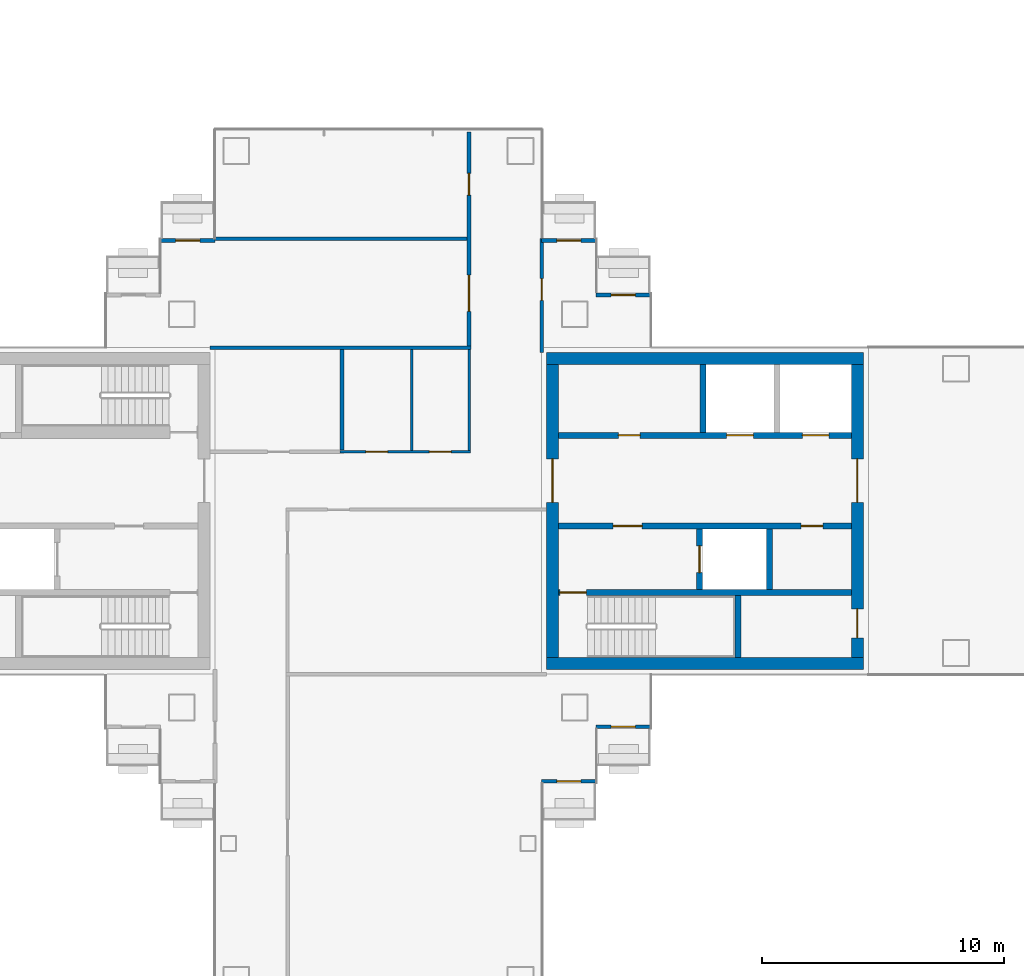
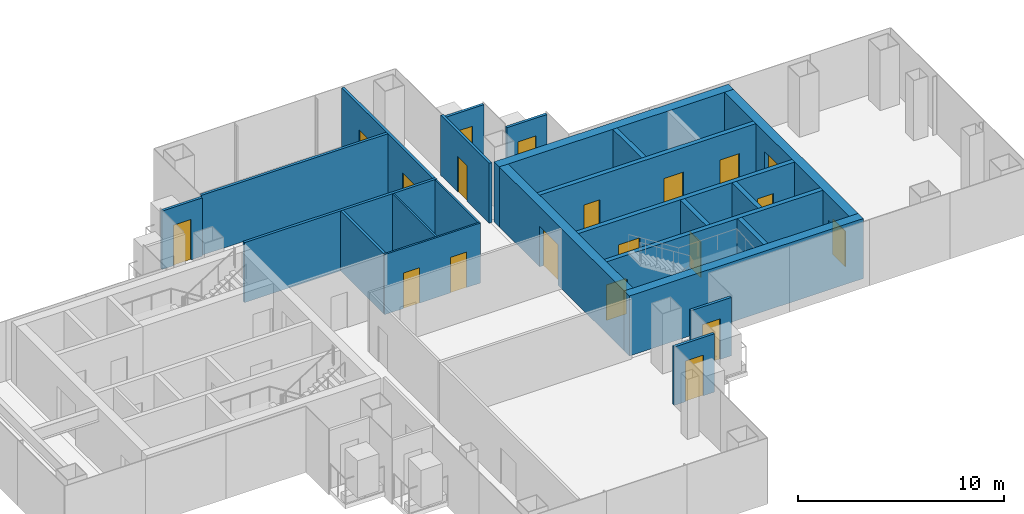
# One storey, part 10 of 16: 24 walls, 20 doors, 20 openings.
"""IFC4 building model written with IfcOpenShell, lengths in metres."""

from ifc_helpers import new_model, si_unit, direction, frame, frame_2d, origin, place, context, subcontext, project, spatial, rectangle, extrude, material, layer, layer_set, type_object, element, fill, save


model = new_model("IFC4")

# Units and contexts
model_context = context("Model", 3, precision=1e-05, world=origin(), true_north=direction((0.0, 1.0)))
body_context = subcontext(model_context, "Body", "Model", "MODEL_VIEW")
ifc_project = project(units=[si_unit("LENGTHUNIT", "METRE"), si_unit("AREAUNIT", "SQUARE_METRE"), si_unit("VOLUMEUNIT", "CUBIC_METRE"), si_unit("PLANEANGLEUNIT", "RADIAN"), si_unit("MASSUNIT", "GRAM", prefix="KILO")], contexts=[model_context])

# Site, building, storey
site_placement = place(None, origin())
site = spatial("IfcSite", under=ifc_project, at=site_placement, CompositionType="ELEMENT")
building_placement = place(site_placement, origin())
building = spatial("IfcBuilding", under=site, at=building_placement, Name="Shamsa Quay Exchange Towers", CompositionType="ELEMENT")
storey_placement = place(building_placement, frame((0.0, 0.0, 150.60009765625)))
storey = spatial("IfcBuildingStorey", under=building, at=storey_placement, Name="L35", CompositionType="ELEMENT", Elevation=150.60009765625)

# Wall, opening, door
ifc_material_1 = material(Name="Aluminium EN AW-6063 T6, black anodised, with black enamelled glass infill", Category="aluminium")
ifc_layer_1 = layer(ifc_material_1, 0.14990234375)
ifc_layer_set_1 = layer_set([ifc_layer_1], Name="BALCONY DOOR BAY WALL 150")
wall_type_1 = type_object("IfcWallType", Name="BALCONY DOOR BAY WALL 150", PredefinedType="SOLIDWALL", material=ifc_layer_set_1)
wall_1_placement = place(storey_placement, frame((-24.75, 8.925048828125, 0.0)))
wall_1 = element("IfcWall", 1, at=wall_1_placement, inside=storey, type_object=wall_type_1, Name="Door bay T1-PKEN L35", PredefinedType="SOLIDWALL", context=body_context, shape_type="SweptSolid", body=[
    extrude(rectangle(XDim=2.25, YDim=0.14990234375, at=frame_2d((1.125, 0.0))), origin(), (0.0, 0.0, 1.0), 3.449951171875),
])
opening_1_placement = place(wall_1_placement, frame((0.625, 0.0, 0.0)))
opening_1 = element("IfcOpeningElement", 2, at=opening_1_placement, cuts=wall_1, Name="Opening XD217", PredefinedType="OPENING", context=body_context, shape_type="SweptSolid", body=[
    extrude(rectangle(XDim=1.0, YDim=2.39990234375, at=frame_2d((0.5, 1.199951171875))), frame((0.0, 0.0849609375, 0.0), z_axis=(0.0, -1.0, 0.0), x_axis=(1.0, 0.0, 0.0)), (0.0, 0.0, 1.0), 0.169921875),
])
ifc_material_2 = material(Name="Aluminium EN AW-6063 T6, black anodised, with laminated glass leaf", Category="aluminium")
door_type_1 = type_object("IfcDoorType", Name="BALCONY DOOR 1000x2400", OperationType="SINGLE_SWING_LEFT", PredefinedType="DOOR", material=ifc_material_2)
door_1_placement = place(opening_1_placement, origin())
door_1 = element("IfcDoor", 3, at=door_1_placement, inside=storey, type_object=door_type_1, Name="Balcony door T1-PKEN L35", OperationType="SINGLE_SWING_RIGHT", OverallHeight=2.39990234375, OverallWidth=1.0, PredefinedType="DOOR", context=body_context, shape_type="SweptSolid", body=[
    extrude(rectangle(XDim=1.0, YDim=2.39990234375, at=frame_2d((0.5, 1.199951171875))), frame((0.0, 0.02490234375, 0.0), z_axis=(0.0, -1.0, 0.0), x_axis=(1.0, 0.0, 0.0)), (0.0, 0.0, 1.0), 0.050048828125),
])
fill(opening_1, door_1)

wall_2_placement = place(storey_placement, frame((-27.0, 11.175048828125, 0.0)))
wall_2 = element("IfcWall", 4, at=wall_2_placement, inside=storey, type_object=wall_type_1, Name="Door bay T1-PKEN L35", PredefinedType="SOLIDWALL", context=body_context, shape_type="SweptSolid", body=[
    extrude(rectangle(XDim=2.25, YDim=0.14990234375, at=frame_2d((1.125, 0.0))), origin(), (0.0, 0.0, 1.0), 3.449951171875),
])
opening_2_placement = place(wall_2_placement, frame((0.625, 0.0, 0.0)))
opening_2 = element("IfcOpeningElement", 5, at=opening_2_placement, cuts=wall_2, Name="Opening XD218", PredefinedType="OPENING", context=body_context, shape_type="SweptSolid", body=[
    extrude(rectangle(XDim=1.0, YDim=2.39990234375, at=frame_2d((0.5, 1.199951171875))), frame((0.0, 0.0849609375, 0.0), z_axis=(0.0, -1.0, 0.0), x_axis=(1.0, 0.0, 0.0)), (0.0, 0.0, 1.0), 0.169921875),
])
door_2_placement = place(opening_2_placement, origin())
door_2 = element("IfcDoor", 6, at=door_2_placement, inside=storey, type_object=door_type_1, Name="Balcony door T1-PKEN L35", OperationType="SINGLE_SWING_LEFT", OverallHeight=2.39990234375, OverallWidth=1.0, PredefinedType="DOOR", context=body_context, shape_type="SweptSolid", body=[
    extrude(rectangle(XDim=1.0, YDim=2.39990234375, at=frame_2d((0.5, 1.199951171875))), frame((0.0, 0.02490234375, 0.0), z_axis=(0.0, -1.0, 0.0), x_axis=(1.0, 0.0, 0.0)), (0.0, 0.0, 1.0), 0.050048828125),
])
fill(opening_2, door_2)

wall_3_placement = place(storey_placement, frame((-22.5, -8.925048828125, 0.0), z_axis=(0.0, 0.0, 1.0), x_axis=(-1.0, 0.0, 0.0)))
wall_3 = element("IfcWall", 7, at=wall_3_placement, inside=storey, type_object=wall_type_1, Name="Door bay T1-PKES L35", PredefinedType="SOLIDWALL", context=body_context, shape_type="SweptSolid", body=[
    extrude(rectangle(XDim=2.25, YDim=0.14990234375, at=frame_2d((1.125, 0.0))), origin(), (0.0, 0.0, 1.0), 3.449951171875),
])
opening_3_placement = place(wall_3_placement, frame((0.625, 0.0, 0.0)))
opening_3 = element("IfcOpeningElement", 8, at=opening_3_placement, cuts=wall_3, Name="Opening XD219", PredefinedType="OPENING", context=body_context, shape_type="SweptSolid", body=[
    extrude(rectangle(XDim=1.0, YDim=2.39990234375, at=frame_2d((0.5, 1.199951171875))), frame((0.0, 0.0849609375, 0.0), z_axis=(0.0, -1.0, 0.0), x_axis=(1.0, 0.0, 0.0)), (0.0, 0.0, 1.0), 0.169921875),
])
door_3_placement = place(opening_3_placement, origin())
door_3 = element("IfcDoor", 9, at=door_3_placement, inside=storey, type_object=door_type_1, Name="Balcony door T1-PKES L35", OperationType="SINGLE_SWING_RIGHT", OverallHeight=2.39990234375, OverallWidth=1.0, PredefinedType="DOOR", context=body_context, shape_type="SweptSolid", body=[
    extrude(rectangle(XDim=1.0, YDim=2.39990234375, at=frame_2d((0.5, 1.199951171875))), frame((0.0, 0.02490234375, 0.0), z_axis=(0.0, -1.0, 0.0), x_axis=(1.0, 0.0, 0.0)), (0.0, 0.0, 1.0), 0.050048828125),
])
fill(opening_3, door_3)

wall_4_placement = place(storey_placement, frame((-24.75, -11.175048828125, 0.0), z_axis=(0.0, 0.0, 1.0), x_axis=(-1.0, 0.0, 0.0)))
wall_4 = element("IfcWall", 10, at=wall_4_placement, inside=storey, type_object=wall_type_1, Name="Door bay T1-PKES L35", PredefinedType="SOLIDWALL", context=body_context, shape_type="SweptSolid", body=[
    extrude(rectangle(XDim=2.25, YDim=0.14990234375, at=frame_2d((1.125, 0.0))), origin(), (0.0, 0.0, 1.0), 3.449951171875),
])
opening_4_placement = place(wall_4_placement, frame((0.625, 0.0, 0.0)))
opening_4 = element("IfcOpeningElement", 11, at=opening_4_placement, cuts=wall_4, Name="Opening XD220", PredefinedType="OPENING", context=body_context, shape_type="SweptSolid", body=[
    extrude(rectangle(XDim=1.0, YDim=2.39990234375, at=frame_2d((0.5, 1.199951171875))), frame((0.0, 0.0849609375, 0.0), z_axis=(0.0, -1.0, 0.0), x_axis=(1.0, 0.0, 0.0)), (0.0, 0.0, 1.0), 0.169921875),
])
door_4_placement = place(opening_4_placement, origin())
door_4 = element("IfcDoor", 12, at=door_4_placement, inside=storey, type_object=door_type_1, Name="Balcony door T1-PKES L35", OperationType="SINGLE_SWING_LEFT", OverallHeight=2.39990234375, OverallWidth=1.0, PredefinedType="DOOR", context=body_context, shape_type="SweptSolid", body=[
    extrude(rectangle(XDim=1.0, YDim=2.39990234375, at=frame_2d((0.5, 1.199951171875))), frame((0.0, 0.02490234375, 0.0), z_axis=(0.0, -1.0, 0.0), x_axis=(1.0, 0.0, 0.0)), (0.0, 0.0, 1.0), 0.050048828125),
])
fill(opening_4, door_4)

wall_5_placement = place(storey_placement, frame((-42.75, 11.175048828125, 0.0)))
wall_5 = element("IfcWall", 13, at=wall_5_placement, inside=storey, type_object=wall_type_1, Name="Door bay T1-PKWN L35", PredefinedType="SOLIDWALL", context=body_context, shape_type="SweptSolid", body=[
    extrude(rectangle(XDim=2.25, YDim=0.14990234375, at=frame_2d((1.125, 0.0))), origin(), (0.0, 0.0, 1.0), 3.449951171875),
])
opening_5_placement = place(wall_5_placement, frame((0.625, 0.0, 0.0)))
opening_5 = element("IfcOpeningElement", 14, at=opening_5_placement, cuts=wall_5, Name="Opening XD221", PredefinedType="OPENING", context=body_context, shape_type="SweptSolid", body=[
    extrude(rectangle(XDim=1.0, YDim=2.39990234375, at=frame_2d((0.5, 1.199951171875))), frame((0.0, 0.0849609375, 0.0), z_axis=(0.0, -1.0, 0.0), x_axis=(1.0, 0.0, 0.0)), (0.0, 0.0, 1.0), 0.169921875),
])
door_5_placement = place(opening_5_placement, origin())
door_5 = element("IfcDoor", 15, at=door_5_placement, inside=storey, type_object=door_type_1, Name="Balcony door T1-PKWN L35", OperationType="SINGLE_SWING_LEFT", OverallHeight=2.39990234375, OverallWidth=1.0, PredefinedType="DOOR", context=body_context, shape_type="SweptSolid", body=[
    extrude(rectangle(XDim=1.0, YDim=2.39990234375, at=frame_2d((0.5, 1.199951171875))), frame((0.0, 0.02490234375, 0.0), z_axis=(0.0, -1.0, 0.0), x_axis=(1.0, 0.0, 0.0)), (0.0, 0.0, 1.0), 0.050048828125),
])
fill(opening_5, door_5)

# Walls
ifc_material_3 = material(Name="Concrete C60/75", Category="concrete")
ifc_layer_2 = layer(ifc_material_3, 0.5)
ifc_layer_set_2 = layer_set([ifc_layer_2], Name="CORE WALL 500 C60/75")
wall_type_2 = type_object("IfcWallType", Name="CORE WALL 500 C60/75", PredefinedType="SHEAR", material=ifc_layer_set_2)
for number, where, name in (
    (16, (-26.800048828125, -6.300048828125, 0.0), "Core wall T1A-R17-PS"),
    (17, (-26.800048828125, 6.300048828125, 0.0), "Core wall T1A-R17-PN"),
):
    element("IfcWall", number, at=place(storey_placement, frame(where)), inside=storey, type_object=wall_type_2, Name=name, PredefinedType="SHEAR", context=body_context, shape_type="SweptSolid", body=[
        extrude(rectangle(XDim=13.10009765625, YDim=0.5, at=frame_2d((6.550048828125, 0.0))), origin(), (0.0, 0.0, 1.0), 3.5498046875),
    ])

# Wall, opening, door
wall_6_placement = place(storey_placement, frame((-26.550048828125, 6.050048828125, 0.0), z_axis=(0.0, 0.0, 1.0), x_axis=(0.0, -1.0, 0.0)))
wall_6 = element("IfcWall", 18, at=wall_6_placement, inside=storey, type_object=wall_type_2, Name="Core wall T1A-R17-PF", PredefinedType="SHEAR", context=body_context, shape_type="SweptSolid", body=[
    extrude(rectangle(XDim=12.10009765625, YDim=0.5, at=frame_2d((6.050048828125, 0.0))), origin(), (0.0, 0.0, 1.0), 3.5498046875),
])
opening_6_placement = place(wall_6_placement, frame((3.89990234375, 0.0, 0.0)))
opening_6 = element("IfcOpeningElement", 19, at=opening_6_placement, cuts=wall_6, Name="Opening T1A-R17-LBD01", PredefinedType="OPENING", context=body_context, shape_type="SweptSolid", body=[
    extrude(rectangle(XDim=1.800048828125, YDim=2.39990234375, at=frame_2d((0.89990234375, 1.199951171875))), frame((0.0, 0.260009765625, 0.0), z_axis=(0.0, -1.0, 0.0), x_axis=(1.0, 0.0, 0.0)), (0.0, 0.0, 1.0), 0.52001953125),
])
ifc_material_4 = material(Name="Steel, fire rated", Category="steel")
door_type_2 = type_object("IfcDoorType", Name="LIFT LOBBY DOOR PAIR 1800", OperationType="DOUBLE_DOOR_SINGLE_SWING", PredefinedType="DOOR", material=ifc_material_4)
door_6_placement = place(opening_6_placement, origin())
door_6 = element("IfcDoor", 20, at=door_6_placement, inside=storey, type_object=door_type_2, Name="T1A-R17-LBD01", OperationType="DOUBLE_DOOR_SINGLE_SWING", OverallHeight=2.39990234375, OverallWidth=1.800048828125, PredefinedType="DOOR", context=body_context, shape_type="SweptSolid", body=[
    extrude(rectangle(XDim=1.800048828125, YDim=2.39990234375, at=frame_2d((0.89990234375, 1.199951171875))), frame((0.0, 0.02490234375, 0.0), z_axis=(0.0, -1.0, 0.0), x_axis=(1.0, 0.0, 0.0)), (0.0, 0.0, 1.0), 0.050048828125),
])
fill(opening_6, door_6)

# Wall, openings, doors
wall_7_placement = place(storey_placement, frame((-13.949951171875, 6.050048828125, 0.0), z_axis=(0.0, 0.0, 1.0), x_axis=(0.0, -1.0, 0.0)))
wall_7 = element("IfcWall", 21, at=wall_7_placement, inside=storey, type_object=wall_type_2, Name="Core wall T1A-R17-PB", PredefinedType="SHEAR", context=body_context, shape_type="SweptSolid", body=[
    extrude(rectangle(XDim=12.10009765625, YDim=0.5, at=frame_2d((6.050048828125, 0.0))), origin(), (0.0, 0.0, 1.0), 3.5498046875),
])
opening_7_placement = place(wall_7_placement, frame((10.10009765625, 0.0, 0.0)))
opening_7 = element("IfcOpeningElement", 22, at=opening_7_placement, cuts=wall_7, Name="Opening T1A-R17-RD02", PredefinedType="OPENING", context=body_context, shape_type="SweptSolid", body=[
    extrude(rectangle(XDim=1.199951171875, YDim=2.10009765625, at=frame_2d((0.60009765625, 1.050048828125))), frame((0.0, 0.260009765625, 0.0), z_axis=(0.0, -1.0, 0.0), x_axis=(1.0, 0.0, 0.0)), (0.0, 0.0, 1.0), 0.52001953125),
])
opening_8_placement = place(wall_7_placement, frame((3.89990234375, 0.0, 0.0)))
opening_8 = element("IfcOpeningElement", 23, at=opening_8_placement, cuts=wall_7, Name="Opening T1A-R17-LBD03", PredefinedType="OPENING", context=body_context, shape_type="SweptSolid", body=[
    extrude(rectangle(XDim=1.800048828125, YDim=2.39990234375, at=frame_2d((0.89990234375, 1.199951171875))), frame((0.0, 0.260009765625, 0.0), z_axis=(0.0, -1.0, 0.0), x_axis=(1.0, 0.0, 0.0)), (0.0, 0.0, 1.0), 0.52001953125),
])
door_7_placement = place(opening_8_placement, origin())
door_7 = element("IfcDoor", 24, at=door_7_placement, inside=storey, type_object=door_type_2, Name="T1A-R17-LBD03", OperationType="DOUBLE_DOOR_SINGLE_SWING", OverallHeight=2.39990234375, OverallWidth=1.800048828125, PredefinedType="DOOR", context=body_context, shape_type="SweptSolid", body=[
    extrude(rectangle(XDim=1.800048828125, YDim=2.39990234375, at=frame_2d((0.89990234375, 1.199951171875))), frame((0.0, 0.02490234375, 0.0), z_axis=(0.0, -1.0, 0.0), x_axis=(1.0, 0.0, 0.0)), (0.0, 0.0, 1.0), 0.050048828125),
])
fill(opening_8, door_7)
door_type_3 = type_object("IfcDoorType", Name="RISER ACCESS DOOR 1200", OperationType="SINGLE_SWING_LEFT", PredefinedType="DOOR", material=ifc_material_4)
door_8_placement = place(opening_7_placement, origin())
door_8 = element("IfcDoor", 25, at=door_8_placement, inside=storey, type_object=door_type_3, Name="T1A-R17-RD02", OperationType="SINGLE_SWING_RIGHT", OverallHeight=2.10009765625, OverallWidth=1.199951171875, PredefinedType="DOOR", context=body_context, shape_type="SweptSolid", body=[
    extrude(rectangle(XDim=1.199951171875, YDim=2.10009765625, at=frame_2d((0.60009765625, 1.050048828125))), frame((0.0, 0.02490234375, 0.0), z_axis=(0.0, -1.0, 0.0), x_axis=(1.0, 0.0, 0.0)), (0.0, 0.0, 1.0), 0.050048828125),
])
fill(opening_7, door_8)

ifc_material_5 = material(Name="Gypsum board partition on metal studs")
ifc_layer_3 = layer(ifc_material_5, 0.10009765625)
ifc_layer_set_3 = layer_set([ifc_layer_3], Name="Partition 100 mm NOT RATED")
wall_type_3 = type_object("IfcWallType", Name="Partition 100 mm NOT RATED", PredefinedType="PARTITIONING", material=ifc_layer_set_3)
wall_8_placement = place(storey_placement, frame((-35.324951171875, 2.4501953125, 0.0)))
wall_8 = element("IfcWall", 26, at=wall_8_placement, inside=storey, type_object=wall_type_3, Name="Partition T1-R17-W03", PredefinedType="PARTITIONING", context=body_context, shape_type="SweptSolid", body=[
    extrude(rectangle(XDim=5.375, YDim=0.10009765625, at=frame_2d((2.6875, 0.0))), origin(), (0.0, 0.0, 1.0), 3.5498046875),
])
opening_9_placement = place(wall_8_placement, frame((1.0625, 0.0, 0.0)))
opening_9 = element("IfcOpeningElement", 27, at=opening_9_placement, cuts=wall_8, Name="Opening T1-R17-D06", PredefinedType="OPENING", context=body_context, shape_type="SweptSolid", body=[
    extrude(rectangle(XDim=0.89990234375, YDim=2.10009765625, at=frame_2d((0.449951171875, 1.050048828125))), frame((0.0, 0.06005859375, 0.0), z_axis=(0.0, -1.0, 0.0), x_axis=(1.0, 0.0, 0.0)), (0.0, 0.0, 1.0), 0.1201171875),
])
opening_10_placement = place(wall_8_placement, frame((3.6875, 0.0, 0.0)))
opening_10 = element("IfcOpeningElement", 28, at=opening_10_placement, cuts=wall_8, Name="Opening T1-R17-D07", PredefinedType="OPENING", context=body_context, shape_type="SweptSolid", body=[
    extrude(rectangle(XDim=0.89990234375, YDim=2.10009765625, at=frame_2d((0.449951171875, 1.050048828125))), frame((0.0, 0.06005859375, 0.0), z_axis=(0.0, -1.0, 0.0), x_axis=(1.0, 0.0, 0.0)), (0.0, 0.0, 1.0), 0.1201171875),
])
ifc_material_6 = material(Name="Timber door leaf in a metal frame", Category="wood")
door_type_4 = type_object("IfcDoorType", Name="Door 900x2100 NOT RATED", OperationType="NOTDEFINED", PredefinedType="DOOR", material=ifc_material_6)
door_9_placement = place(opening_9_placement, origin())
door_9 = element("IfcDoor", 29, at=door_9_placement, inside=storey, type_object=door_type_4, Name="Door T1-R17-D06", OperationType="SINGLE_SWING_LEFT", OverallHeight=2.10009765625, OverallWidth=0.89990234375, PredefinedType="DOOR", context=body_context, shape_type="SweptSolid", body=[
    extrude(rectangle(XDim=0.89990234375, YDim=2.10009765625, at=frame_2d((0.449951171875, 1.050048828125))), frame((0.0, 0.02490234375, 0.0), z_axis=(0.0, -1.0, 0.0), x_axis=(1.0, 0.0, 0.0)), (0.0, 0.0, 1.0), 0.050048828125),
])
fill(opening_9, door_9)
door_10_placement = place(opening_10_placement, origin())
door_10 = element("IfcDoor", 30, at=door_10_placement, inside=storey, type_object=door_type_4, Name="Door T1-R17-D07", OperationType="SINGLE_SWING_LEFT", OverallHeight=2.10009765625, OverallWidth=0.89990234375, PredefinedType="DOOR", context=body_context, shape_type="SweptSolid", body=[
    extrude(rectangle(XDim=0.89990234375, YDim=2.10009765625, at=frame_2d((0.449951171875, 1.050048828125))), frame((0.0, 0.02490234375, 0.0), z_axis=(0.0, -1.0, 0.0), x_axis=(1.0, 0.0, 0.0)), (0.0, 0.0, 1.0), 0.050048828125),
])
fill(opening_10, door_10)

# Walls
for number, where, z_axis, x_axis, name in (
    (31, (-30.0, 2.500244140625, 0.0), (0.0, 0.0, 1.0), (0.0, 1.0, 0.0), "Partition T1-R17-W04"),
    (32, (-32.375, 2.500244140625, 0.0), (0.0, 0.0, 1.0), (0.0, 1.0, 0.0), "Partition T1-R17-W13"),
):
    element("IfcWall", number, at=place(storey_placement, frame(where, z_axis=z_axis, x_axis=x_axis)), inside=storey, type_object=wall_type_3, Name=name, PredefinedType="PARTITIONING", context=body_context, shape_type="SweptSolid", body=[
        extrude(rectangle(XDim=4.1748046875, YDim=0.10009765625, at=frame_2d((2.08740234375, 0.0))), origin(), (0.0, 0.0, 1.0), 3.5498046875),
    ])

# Wall, openings, doors
ifc_layer_4 = layer(ifc_material_5, 0.14990234375)
ifc_layer_set_4 = layer_set([ifc_layer_4], Name="Partition 150 mm EI 60")
wall_type_4 = type_object("IfcWallType", Name="Partition 150 mm EI 60", PredefinedType="PARTITIONING", material=ifc_layer_set_4)
wall_9_placement = place(storey_placement, frame((-30.0, 6.824951171875, 0.0), z_axis=(0.0, 0.0, 1.0), x_axis=(0.0, 1.0, 0.0)))
wall_9 = element("IfcWall", 33, at=wall_9_placement, inside=storey, type_object=wall_type_4, Name="Partition T1-R17-W01", PredefinedType="PARTITIONING", context=body_context, shape_type="SweptSolid", body=[
    extrude(rectangle(XDim=8.830078125, YDim=0.14990234375, at=frame_2d((4.4150390625, 0.0))), origin(), (0.0, 0.0, 1.0), 3.5498046875),
])
opening_11_placement = place(wall_9_placement, frame((1.425048828125, 0.0, 0.0)))
opening_11 = element("IfcOpeningElement", 34, at=opening_11_placement, cuts=wall_9, Name="Opening T1-R17-D08", PredefinedType="OPENING", context=body_context, shape_type="SweptSolid", body=[
    extrude(rectangle(XDim=1.5, YDim=2.10009765625, at=frame_2d((0.75, 1.050048828125))), frame((0.0, 0.0849609375, 0.0), z_axis=(0.0, -1.0, 0.0), x_axis=(1.0, 0.0, 0.0)), (0.0, 0.0, 1.0), 0.169921875),
])
opening_12_placement = place(wall_9_placement, frame((6.22509765625, 0.0, 0.0)))
opening_12 = element("IfcOpeningElement", 35, at=opening_12_placement, cuts=wall_9, Name="Opening T1-R17-D09", PredefinedType="OPENING", context=body_context, shape_type="SweptSolid", body=[
    extrude(rectangle(XDim=0.89990234375, YDim=2.10009765625, at=frame_2d((0.449951171875, 1.050048828125))), frame((0.0, 0.0849609375, 0.0), z_axis=(0.0, -1.0, 0.0), x_axis=(1.0, 0.0, 0.0)), (0.0, 0.0, 1.0), 0.169921875),
])
door_type_5 = type_object("IfcDoorType", Name="Door 1500x2100 FD30S pair", OperationType="NOTDEFINED", PredefinedType="DOOR", material=ifc_material_6)
door_11_placement = place(opening_11_placement, origin())
door_11 = element("IfcDoor", 36, at=door_11_placement, inside=storey, type_object=door_type_5, Name="Door T1-R17-D08", OperationType="DOUBLE_DOOR_SINGLE_SWING", OverallHeight=2.10009765625, OverallWidth=1.5, PredefinedType="DOOR", context=body_context, shape_type="SweptSolid", body=[
    extrude(rectangle(XDim=1.5, YDim=2.10009765625, at=frame_2d((0.75, 1.050048828125))), frame((0.0, 0.02490234375, 0.0), z_axis=(0.0, -1.0, 0.0), x_axis=(1.0, 0.0, 0.0)), (0.0, 0.0, 1.0), 0.050048828125),
])
fill(opening_11, door_11)
door_type_6 = type_object("IfcDoorType", Name="Door 900x2100 FD30S", OperationType="NOTDEFINED", PredefinedType="DOOR", material=ifc_material_6)
door_12_placement = place(opening_12_placement, origin())
door_12 = element("IfcDoor", 37, at=door_12_placement, inside=storey, type_object=door_type_6, Name="Door T1-R17-D09", OperationType="SINGLE_SWING_RIGHT", OverallHeight=2.10009765625, OverallWidth=0.89990234375, PredefinedType="DOOR", context=body_context, shape_type="SweptSolid", body=[
    extrude(rectangle(XDim=0.89990234375, YDim=2.10009765625, at=frame_2d((0.449951171875, 1.050048828125))), frame((0.0, 0.02490234375, 0.0), z_axis=(0.0, -1.0, 0.0), x_axis=(1.0, 0.0, 0.0)), (0.0, 0.0, 1.0), 0.050048828125),
])
fill(opening_12, door_12)

# Wall, opening, door
wall_10_placement = place(storey_placement, frame((-27.0, 11.25, 0.0), z_axis=(0.0, 0.0, 1.0), x_axis=(0.0, -1.0, 0.0)))
wall_10 = element("IfcWall", 38, at=wall_10_placement, inside=storey, type_object=wall_type_4, Name="Partition T1-R17-W09", PredefinedType="PARTITIONING", context=body_context, shape_type="SweptSolid", body=[
    extrude(rectangle(XDim=4.699951171875, YDim=0.14990234375, at=frame_2d((2.35009765625, 0.0))), origin(), (0.0, 0.0, 1.0), 3.5498046875),
])
opening_13_placement = place(wall_10_placement, frame((1.64990234375, 0.0, 0.0)))
opening_13 = element("IfcOpeningElement", 39, at=opening_13_placement, cuts=wall_10, Name="Opening T1-R17-D10", PredefinedType="OPENING", context=body_context, shape_type="SweptSolid", body=[
    extrude(rectangle(XDim=0.89990234375, YDim=2.10009765625, at=frame_2d((0.449951171875, 1.050048828125))), frame((0.0, 0.0849609375, 0.0), z_axis=(0.0, -1.0, 0.0), x_axis=(1.0, 0.0, 0.0)), (0.0, 0.0, 1.0), 0.169921875),
])
door_13_placement = place(opening_13_placement, origin())
door_13 = element("IfcDoor", 40, at=door_13_placement, inside=storey, type_object=door_type_6, Name="Door T1-R17-D10", OperationType="SINGLE_SWING_LEFT", OverallHeight=2.10009765625, OverallWidth=0.89990234375, PredefinedType="DOOR", context=body_context, shape_type="SweptSolid", body=[
    extrude(rectangle(XDim=0.89990234375, YDim=2.10009765625, at=frame_2d((0.449951171875, 1.050048828125))), frame((0.0, 0.02490234375, 0.0), z_axis=(0.0, -1.0, 0.0), x_axis=(1.0, 0.0, 0.0)), (0.0, 0.0, 1.0), 0.050048828125),
])
fill(opening_13, door_13)

# Walls
wall_11_placement = place(storey_placement, frame((-30.074951171875, 11.25, 0.0), z_axis=(0.0, 0.0, 1.0), x_axis=(-1.0, 0.0, 0.0)))
element("IfcWall", 41, at=wall_11_placement, inside=storey, type_object=wall_type_4, Name="Partition T1-R17-W10", PredefinedType="PARTITIONING", context=body_context, shape_type="SweptSolid", body=[
    extrude(rectangle(XDim=10.425048828125, YDim=0.14990234375, at=frame_2d((5.21240234375, 0.0))), origin(), (0.0, 0.0, 1.0), 3.5498046875),
])
wall_12_placement = place(storey_placement, frame((-40.699951171875, 6.75, 0.0)))
element("IfcWall", 42, at=wall_12_placement, inside=storey, type_object=wall_type_4, Name="Partition T1-R17-W11", PredefinedType="PARTITIONING", context=body_context, shape_type="SweptSolid", body=[
    extrude(rectangle(XDim=10.77490234375, YDim=0.14990234375, at=frame_2d((5.387451171875, 0.0))), origin(), (0.0, 0.0, 1.0), 3.5498046875),
])
wall_13_placement = place(storey_placement, frame((-35.25, 2.525146484375, 0.0), z_axis=(0.0, 0.0, 1.0), x_axis=(0.0, 1.0, 0.0)))
element("IfcWall", 43, at=wall_13_placement, inside=storey, type_object=wall_type_4, Name="Partition T1-R17-W12", PredefinedType="PARTITIONING", context=body_context, shape_type="SweptSolid", body=[
    extrude(rectangle(XDim=4.14990234375, YDim=0.14990234375, at=frame_2d((2.074951171875, 0.0))), origin(), (0.0, 0.0, 1.0), 3.5498046875),
])

# Wall, opening, door
ifc_material_7 = material(Name="Concrete C50/60", Category="concrete")
ifc_layer_5 = layer(ifc_material_7, 0.25)
ifc_layer_set_5 = layer_set([ifc_layer_5], Name="SHAFT WALL 250 C50/60")
wall_type_5 = type_object("IfcWallType", Name="SHAFT WALL 250 C50/60", PredefinedType="SHEAR", material=ifc_layer_set_5)
wall_14_placement = place(storey_placement, frame((-14.199951171875, -3.375, 0.0), z_axis=(0.0, 0.0, 1.0), x_axis=(-1.0, 0.0, 0.0)))
wall_14 = element("IfcWall", 44, at=wall_14_placement, inside=storey, type_object=wall_type_5, Name="Shaft wall T1A-R17-STL", PredefinedType="SHEAR", context=body_context, shape_type="SweptSolid", body=[
    extrude(rectangle(XDim=12.10009765625, YDim=0.25, at=frame_2d((6.050048828125, 0.0))), origin(), (0.0, 0.0, 1.0), 3.5498046875),
])
opening_14_placement = place(wall_14_placement, frame((10.949951171875, 0.0, 0.0)))
opening_14 = element("IfcOpeningElement", 45, at=opening_14_placement, cuts=wall_14, Name="Opening T1A-R17-SD04", PredefinedType="OPENING", context=body_context, shape_type="SweptSolid", body=[
    extrude(rectangle(XDim=1.10009765625, YDim=2.10009765625, at=frame_2d((0.550048828125, 1.050048828125))), frame((0.0, 0.135009765625, 0.0), z_axis=(0.0, -1.0, 0.0), x_axis=(1.0, 0.0, 0.0)), (0.0, 0.0, 1.0), 0.27001953125),
])
door_type_7 = type_object("IfcDoorType", Name="STAIR DOOR 1100", OperationType="SINGLE_SWING_LEFT", PredefinedType="DOOR", material=ifc_material_4)
door_14_placement = place(opening_14_placement, origin())
door_14 = element("IfcDoor", 46, at=door_14_placement, inside=storey, type_object=door_type_7, Name="T1A-R17-SD04", OperationType="SINGLE_SWING_RIGHT", OverallHeight=2.10009765625, OverallWidth=1.10009765625, PredefinedType="DOOR", context=body_context, shape_type="SweptSolid", body=[
    extrude(rectangle(XDim=1.10009765625, YDim=2.10009765625, at=frame_2d((0.550048828125, 1.050048828125))), frame((0.0, 0.02490234375, 0.0), z_axis=(0.0, -1.0, 0.0), x_axis=(1.0, 0.0, 0.0)), (0.0, 0.0, 1.0), 0.050048828125),
])
fill(opening_14, door_14)

# Wall
wall_15_placement = place(storey_placement, frame((-18.875, -6.050048828125, 0.0), z_axis=(0.0, 0.0, 1.0), x_axis=(0.0, 1.0, 0.0)))
element("IfcWall", 47, at=wall_15_placement, inside=storey, type_object=wall_type_5, Name="Shaft wall T1A-R17-STF", PredefinedType="SHEAR", context=body_context, shape_type="SweptSolid", body=[
    extrude(rectangle(XDim=2.550048828125, YDim=0.25, at=frame_2d((1.27490234375, 0.0))), origin(), (0.0, 0.0, 1.0), 3.5498046875),
])

# Wall, openings, doors
wall_16_placement = place(storey_placement, frame((-14.199951171875, -0.625, 0.0), z_axis=(0.0, 0.0, 1.0), x_axis=(-1.0, 0.0, 0.0)))
wall_16 = element("IfcWall", 48, at=wall_16_placement, inside=storey, type_object=wall_type_5, Name="Shaft wall T1A-R17-B", PredefinedType="SHEAR", context=body_context, shape_type="SweptSolid", body=[
    extrude(rectangle(XDim=12.10009765625, YDim=0.25, at=frame_2d((6.050048828125, 0.0))), origin(), (0.0, 0.0, 1.0), 3.5498046875),
])
opening_15_placement = place(wall_16_placement, frame((8.64990234375, 0.0, 0.0)))
opening_15 = element("IfcOpeningElement", 49, at=opening_15_placement, cuts=wall_16, Name="Opening T1A-R17-FD05", PredefinedType="OPENING", context=body_context, shape_type="SweptSolid", body=[
    extrude(rectangle(XDim=1.199951171875, YDim=2.10009765625, at=frame_2d((0.60009765625, 1.050048828125))), frame((0.0, 0.135009765625, 0.0), z_axis=(0.0, -1.0, 0.0), x_axis=(1.0, 0.0, 0.0)), (0.0, 0.0, 1.0), 0.27001953125),
])
opening_16_placement = place(wall_16_placement, frame((1.175048828125, 0.0, 0.0)))
opening_16 = element("IfcOpeningElement", 50, at=opening_16_placement, cuts=wall_16, Name="Opening T1A-R17-SV06", PredefinedType="OPENING", context=body_context, shape_type="SweptSolid", body=[
    extrude(rectangle(XDim=0.89990234375, YDim=2.10009765625, at=frame_2d((0.449951171875, 1.050048828125))), frame((0.0, 0.135009765625, 0.0), z_axis=(0.0, -1.0, 0.0), x_axis=(1.0, 0.0, 0.0)), (0.0, 0.0, 1.0), 0.27001953125),
])
door_type_8 = type_object("IfcDoorType", Name="FIRE SERVICE LOBBY DOOR 1200", OperationType="SINGLE_SWING_LEFT", PredefinedType="DOOR", material=ifc_material_4)
door_15_placement = place(opening_15_placement, origin())
door_15 = element("IfcDoor", 51, at=door_15_placement, inside=storey, type_object=door_type_8, Name="T1A-R17-FD05", OperationType="SINGLE_SWING_RIGHT", OverallHeight=2.10009765625, OverallWidth=1.199951171875, PredefinedType="DOOR", context=body_context, shape_type="SweptSolid", body=[
    extrude(rectangle(XDim=1.199951171875, YDim=2.10009765625, at=frame_2d((0.60009765625, 1.050048828125))), frame((0.0, 0.02490234375, 0.0), z_axis=(0.0, -1.0, 0.0), x_axis=(1.0, 0.0, 0.0)), (0.0, 0.0, 1.0), 0.050048828125),
])
fill(opening_15, door_15)
door_type_9 = type_object("IfcDoorType", Name="SERVICE ROOM DOOR 900", OperationType="SINGLE_SWING_LEFT", PredefinedType="DOOR", material=ifc_material_4)
door_16_placement = place(opening_16_placement, origin())
door_16 = element("IfcDoor", 52, at=door_16_placement, inside=storey, type_object=door_type_9, Name="T1A-R17-SV06", OperationType="SINGLE_SWING_LEFT", OverallHeight=2.10009765625, OverallWidth=0.89990234375, PredefinedType="DOOR", context=body_context, shape_type="SweptSolid", body=[
    extrude(rectangle(XDim=0.89990234375, YDim=2.10009765625, at=frame_2d((0.449951171875, 1.050048828125))), frame((0.0, 0.02490234375, 0.0), z_axis=(0.0, -1.0, 0.0), x_axis=(1.0, 0.0, 0.0)), (0.0, 0.0, 1.0), 0.050048828125),
])
fill(opening_16, door_16)

# Wall, opening, door
wall_17_placement = place(storey_placement, frame((-20.47509765625, -3.25, 0.0), z_axis=(0.0, 0.0, 1.0), x_axis=(0.0, 1.0, 0.0)))
wall_17 = element("IfcWall", 53, at=wall_17_placement, inside=storey, type_object=wall_type_5, Name="Shaft wall T1A-R17-FFF", PredefinedType="SHEAR", context=body_context, shape_type="SweptSolid", body=[
    extrude(rectangle(XDim=2.5, YDim=0.25, at=frame_2d((1.25, 0.0))), origin(), (0.0, 0.0, 1.0), 3.5498046875),
])
opening_17_placement = place(wall_17_placement, frame((0.699951171875, 0.0, 0.0)))
opening_17 = element("IfcOpeningElement", 54, at=opening_17_placement, cuts=wall_17, Name="Opening T1A-R17-LDF07", PredefinedType="OPENING", context=body_context, shape_type="SweptSolid", body=[
    extrude(rectangle(XDim=1.10009765625, YDim=2.10009765625, at=frame_2d((0.550048828125, 1.050048828125))), frame((0.0, 0.135009765625, 0.0), z_axis=(0.0, -1.0, 0.0), x_axis=(1.0, 0.0, 0.0)), (0.0, 0.0, 1.0), 0.27001953125),
])
door_type_10 = type_object("IfcDoorType", Name="FIRE SERVICE LANDING DOOR 1100", OperationType="SLIDING_TO_LEFT", PredefinedType="DOOR", material=ifc_material_4)
door_17_placement = place(opening_17_placement, origin())
door_17 = element("IfcDoor", 55, at=door_17_placement, inside=storey, type_object=door_type_10, Name="T1A-R17-LDF07", OperationType="SLIDING_TO_LEFT", OverallHeight=2.10009765625, OverallWidth=1.10009765625, PredefinedType="DOOR", context=body_context, shape_type="SweptSolid", body=[
    extrude(rectangle(XDim=1.10009765625, YDim=2.10009765625, at=frame_2d((0.550048828125, 1.050048828125))), frame((0.0, 0.02490234375, 0.0), z_axis=(0.0, -1.0, 0.0), x_axis=(1.0, 0.0, 0.0)), (0.0, 0.0, 1.0), 0.050048828125),
])
fill(opening_17, door_17)

# Wall
wall_18_placement = place(storey_placement, frame((-17.574951171875, -3.25, 0.0), z_axis=(0.0, 0.0, 1.0), x_axis=(0.0, 1.0, 0.0)))
element("IfcWall", 56, at=wall_18_placement, inside=storey, type_object=wall_type_5, Name="Shaft wall T1A-R17-FFB", PredefinedType="SHEAR", context=body_context, shape_type="SweptSolid", body=[
    extrude(rectangle(XDim=2.5, YDim=0.25, at=frame_2d((1.25, 0.0))), origin(), (0.0, 0.0, 1.0), 3.5498046875),
])

# Wall, openings, doors
wall_19_placement = place(storey_placement, frame((-26.300048828125, 3.125, 0.0)))
wall_19 = element("IfcWall", 57, at=wall_19_placement, inside=storey, type_object=wall_type_5, Name="Shaft wall T1A-R17-N", PredefinedType="SHEAR", context=body_context, shape_type="SweptSolid", body=[
    extrude(rectangle(XDim=12.10009765625, YDim=0.25, at=frame_2d((6.050048828125, 0.0))), origin(), (0.0, 0.0, 1.0), 3.5498046875),
])
opening_18_placement = place(wall_19_placement, frame((6.949951171875, 0.0, 0.0)))
opening_18 = element("IfcOpeningElement", 58, at=opening_18_placement, cuts=wall_19, Name="Opening T1A-R17-LD08", PredefinedType="OPENING", context=body_context, shape_type="SweptSolid", body=[
    extrude(rectangle(XDim=1.10009765625, YDim=2.10009765625, at=frame_2d((0.550048828125, 1.050048828125))), frame((0.0, 0.135009765625, 0.0), z_axis=(0.0, -1.0, 0.0), x_axis=(1.0, 0.0, 0.0)), (0.0, 0.0, 1.0), 0.27001953125),
])
opening_19_placement = place(wall_19_placement, frame((10.074951171875, 0.0, 0.0)))
opening_19 = element("IfcOpeningElement", 59, at=opening_19_placement, cuts=wall_19, Name="Opening T1A-R17-LD09", PredefinedType="OPENING", context=body_context, shape_type="SweptSolid", body=[
    extrude(rectangle(XDim=1.10009765625, YDim=2.10009765625, at=frame_2d((0.550048828125, 1.050048828125))), frame((0.0, 0.135009765625, 0.0), z_axis=(0.0, -1.0, 0.0), x_axis=(1.0, 0.0, 0.0)), (0.0, 0.0, 1.0), 0.27001953125),
])
opening_20_placement = place(wall_19_placement, frame((2.47509765625, 0.0, 0.0)))
opening_20 = element("IfcOpeningElement", 60, at=opening_20_placement, cuts=wall_19, Name="Opening T1A-R17-SV10", PredefinedType="OPENING", context=body_context, shape_type="SweptSolid", body=[
    extrude(rectangle(XDim=0.89990234375, YDim=2.10009765625, at=frame_2d((0.449951171875, 1.050048828125))), frame((0.0, 0.135009765625, 0.0), z_axis=(0.0, -1.0, 0.0), x_axis=(1.0, 0.0, 0.0)), (0.0, 0.0, 1.0), 0.27001953125),
])
door_type_11 = type_object("IfcDoorType", Name="LANDING DOOR 1100", OperationType="SLIDING_TO_LEFT", PredefinedType="DOOR", material=ifc_material_4)
door_18_placement = place(opening_18_placement, origin())
door_18 = element("IfcDoor", 61, at=door_18_placement, inside=storey, type_object=door_type_11, Name="T1A-R17-LD08", OperationType="SLIDING_TO_LEFT", OverallHeight=2.10009765625, OverallWidth=1.10009765625, PredefinedType="DOOR", context=body_context, shape_type="SweptSolid", body=[
    extrude(rectangle(XDim=1.10009765625, YDim=2.10009765625, at=frame_2d((0.550048828125, 1.050048828125))), frame((0.0, 0.02490234375, 0.0), z_axis=(0.0, -1.0, 0.0), x_axis=(1.0, 0.0, 0.0)), (0.0, 0.0, 1.0), 0.050048828125),
])
fill(opening_18, door_18)
door_19_placement = place(opening_19_placement, origin())
door_19 = element("IfcDoor", 62, at=door_19_placement, inside=storey, type_object=door_type_11, Name="T1A-R17-LD09", OperationType="SLIDING_TO_LEFT", OverallHeight=2.10009765625, OverallWidth=1.10009765625, PredefinedType="DOOR", context=body_context, shape_type="SweptSolid", body=[
    extrude(rectangle(XDim=1.10009765625, YDim=2.10009765625, at=frame_2d((0.550048828125, 1.050048828125))), frame((0.0, 0.02490234375, 0.0), z_axis=(0.0, -1.0, 0.0), x_axis=(1.0, 0.0, 0.0)), (0.0, 0.0, 1.0), 0.050048828125),
])
fill(opening_19, door_19)
door_20_placement = place(opening_20_placement, origin())
door_20 = element("IfcDoor", 63, at=door_20_placement, inside=storey, type_object=door_type_9, Name="T1A-R17-SV10", OperationType="SINGLE_SWING_LEFT", OverallHeight=2.10009765625, OverallWidth=0.89990234375, PredefinedType="DOOR", context=body_context, shape_type="SweptSolid", body=[
    extrude(rectangle(XDim=0.89990234375, YDim=2.10009765625, at=frame_2d((0.449951171875, 1.050048828125))), frame((0.0, 0.02490234375, 0.0), z_axis=(0.0, -1.0, 0.0), x_axis=(1.0, 0.0, 0.0)), (0.0, 0.0, 1.0), 0.050048828125),
])
fill(opening_20, door_20)

# Wall
wall_20_placement = place(storey_placement, frame((-20.324951171875, 3.25, 0.0), z_axis=(0.0, 0.0, 1.0), x_axis=(0.0, 1.0, 0.0)))
element("IfcWall", 64, at=wall_20_placement, inside=storey, type_object=wall_type_5, Name="Shaft wall T1A-R17-D1", PredefinedType="SHEAR", context=body_context, shape_type="SweptSolid", body=[
    extrude(rectangle(XDim=2.800048828125, YDim=0.25, at=frame_2d((1.39990234375, 0.0))), origin(), (0.0, 0.0, 1.0), 3.5498046875),
])

save(model, "model.ifc")
